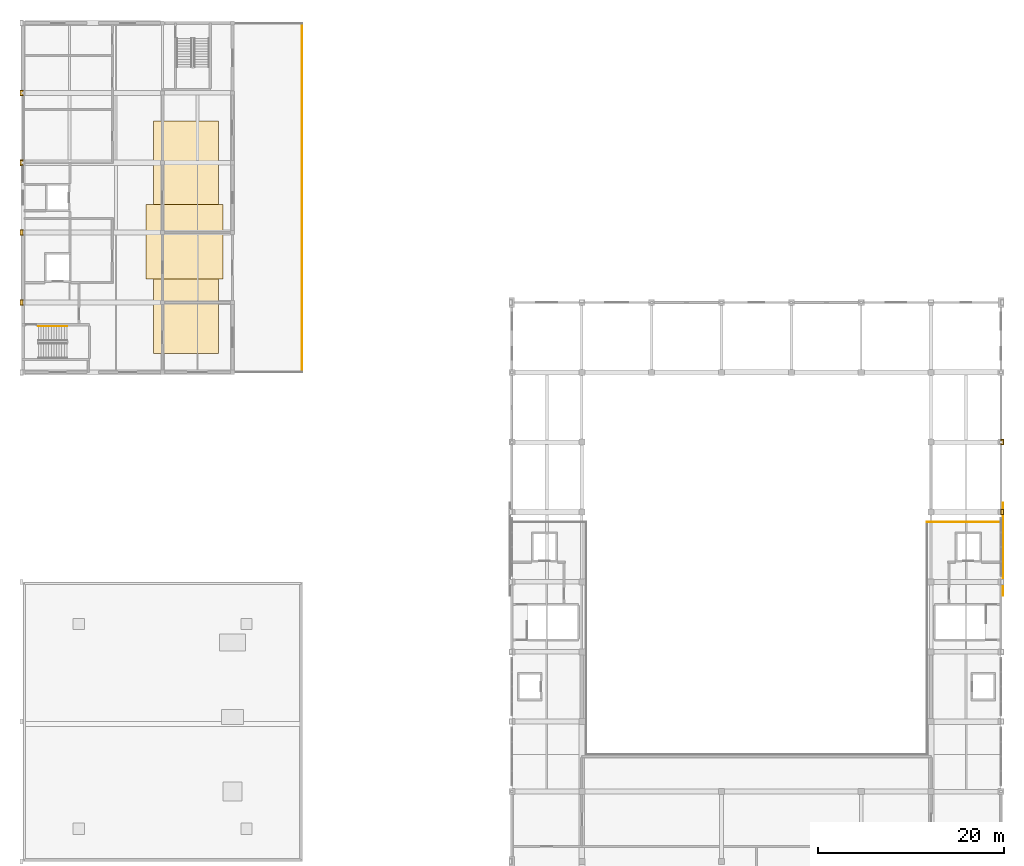
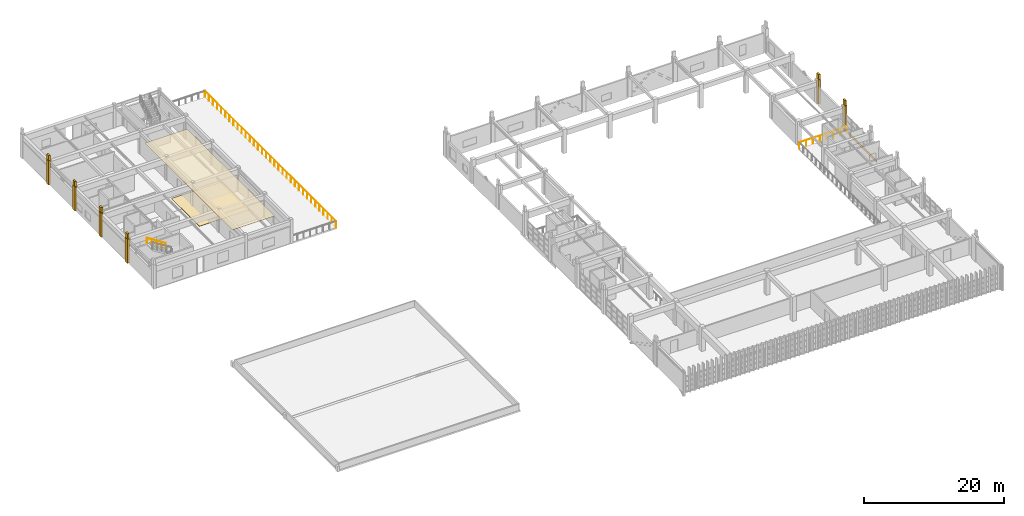
# One storey, part 47 of 51: 15 coverings, 3 railings.
"""IFC4 building model written with IfcOpenShell, lengths in metres."""

from ifc_helpers import new_model, si_unit, direction, frame, origin, origin_2d, place, context, subcontext, project, spatial, polyline, rectangle, circle, outline, extrude, material, layer, layer_set, type_object, element, save


model = new_model("IFC4")

# Units and contexts
model_context = context("Model", 3, precision=1e-05, world=origin(), true_north=direction((0.0, 1.0)))
body_context = subcontext(model_context, "Body", "Model", "MODEL_VIEW")
ifc_project = project(units=[si_unit("LENGTHUNIT", "METRE"), si_unit("AREAUNIT", "SQUARE_METRE"), si_unit("VOLUMEUNIT", "CUBIC_METRE"), si_unit("PLANEANGLEUNIT", "RADIAN"), si_unit("MASSUNIT", "GRAM", prefix="KILO")], contexts=[model_context])

# Site, building, storey
site_placement = place(None, origin())
site = spatial("IfcSite", under=ifc_project, at=site_placement, CompositionType="ELEMENT")
building_placement = place(site_placement, origin())
building = spatial("IfcBuilding", under=site, at=building_placement, Name="Qasida Concert Hall", CompositionType="ELEMENT")
storey_placement = place(building_placement, frame((0.0, 0.0, 21.0)))
storey = spatial("IfcBuildingStorey", under=building, at=storey_placement, Name="L05", CompositionType="ELEMENT", Elevation=21.0)

# Coverings
ifc_material_1 = material(Name="Sculpted fibrous plaster acoustic reflector ceiling", Category="gypsum")
ifc_layer_1 = layer(ifc_material_1, 0.0400390625, Name="Sculpted fibrous plaster acoustic reflector ceiling")
ifc_layer_set_1 = layer_set([ifc_layer_1], Name="Sculpted fibrous plaster acoustic reflector ceiling")
covering_type_1 = type_object("IfcCoveringType", Name="CV-CE-1", PredefinedType="CEILING", material=ifc_layer_set_1)
covering_1_placement = place(storey_placement, frame((0.0, 0.0, 3.919921875)))
element("IfcCovering", 1, at=covering_1_placement, inside=storey, type_object=covering_type_1, Name="L05 acoustic reflector ceiling 08", PredefinedType="CEILING", context=body_context, shape_type="SweptSolid", body=[
    extrude(outline(polyline([(14.0, 77.0), (21.0, 77.0), (21.0, 102.0), (14.0, 102.0), (14.0, 77.0)])), origin(), (0.0, 0.0, 1.0), 0.0400390625),
])
ifc_material_2 = material(Name="Glazed Levantine geometric terracotta spandrel relief", Category="masonry")
ifc_layer_2 = layer(ifc_material_2, 0.050048828125, Name="Glazed Levantine geometric terracotta spandrel relief")
ifc_layer_set_2 = layer_set([ifc_layer_2], Name="Glazed Levantine geometric terracotta spandrel relief")
covering_type_2 = type_object("IfcCoveringType", Name="CV-CL-1", PredefinedType="CLADDING", material=ifc_layer_set_2)
covering_2_placement = place(storey_placement, frame((105.199951171875, 56.0, -0.47509765625), z_axis=(0.0, 0.0, 1.0), x_axis=(1.0, 0.0, 0.0)))
element("IfcCovering", 2, at=covering_2_placement, inside=storey, type_object=covering_type_2, Name="L05 terracotta spandrel frieze E05", PredefinedType="CLADDING", context=body_context, shape_type="SweptSolid", body=[
    extrude(rectangle(XDim=0.050048828125, YDim=10.0, at=origin_2d()), origin(), (0.0, 0.0, 1.0), 0.449951171875),
])
ifc_material_3 = material(Name="Quarter-sawn European oak stage and parterre flooring", Category="wood")
ifc_layer_3 = layer(ifc_material_3, 0.030029296875, Name="Quarter-sawn European oak stage and parterre flooring")
ifc_layer_set_3 = layer_set([ifc_layer_3], Name="Quarter-sawn European oak stage and parterre flooring")
covering_type_3 = type_object("IfcCoveringType", Name="CV-FL-1", PredefinedType="FLOORING", material=ifc_layer_set_3)
covering_3_placement = place(storey_placement, origin())
element("IfcCovering", 3, at=covering_3_placement, inside=storey, type_object=covering_type_3, Name="L05 acoustic timber flooring 08", PredefinedType="FLOORING", context=body_context, shape_type="SweptSolid", body=[
    extrude(outline(polyline([(13.199951171875, 85.0), (21.5, 85.0), (21.5, 93.0), (13.199951171875, 93.0), (13.199951171875, 85.0)])), origin(), (0.0, 0.0, 1.0), 0.030029296875),
])
ifc_material_4 = material(Name="Projecting fluted Lebanese limestone Art Deco pilaster", Category="masonry")
ifc_layer_4 = layer(ifc_material_4, 0.35009765625, Name="Projecting fluted Lebanese limestone Art Deco pilaster")
ifc_layer_set_4 = layer_set([ifc_layer_4], Name="Projecting fluted Lebanese limestone Art Deco pilaster")
covering_type_4 = type_object("IfcCoveringType", Name="CV-PIL-650", PredefinedType="CLADDING", material=ifc_layer_set_4)
covering_4_placement = place(storey_placement, frame((105.135009765625, 60.0, 0.0), z_axis=(0.0, 0.0, 1.0), x_axis=(1.0, 0.0, 0.0)))
element("IfcCovering", 4, at=covering_4_placement, inside=storey, type_object=covering_type_4, Name="L05 fluted limestone pilaster 0069", PredefinedType="CLADDING", context=body_context, shape_type="SweptSolid", body=[
    extrude(rectangle(XDim=0.35009765625, YDim=0.64990234375, at=origin_2d()), origin(), (0.0, 0.0, 1.0), 4.199951171875),
])
covering_5_placement = place(storey_placement, frame((105.135009765625, 60.0, 4.199951171875), z_axis=(0.0, 0.0, 1.0), x_axis=(1.0, 0.0, 0.0)))
element("IfcCovering", 5, at=covering_5_placement, inside=storey, type_object=covering_type_4, Name="Stepped Art Deco pier finial 0070", PredefinedType="CLADDING", context=body_context, shape_type="SweptSolid", body=[
    extrude(rectangle(XDim=0.300048828125, YDim=0.52001953125, at=origin_2d()), origin(), (0.0, 0.0, 1.0), 0.89990234375),
])
covering_6_placement = place(storey_placement, frame((105.135009765625, 67.5, 0.0), z_axis=(0.0, 0.0, 1.0), x_axis=(1.0, 0.0, 0.0)))
element("IfcCovering", 6, at=covering_6_placement, inside=storey, type_object=covering_type_4, Name="L05 fluted limestone pilaster 0083", PredefinedType="CLADDING", context=body_context, shape_type="SweptSolid", body=[
    extrude(rectangle(XDim=0.35009765625, YDim=0.64990234375, at=origin_2d()), origin(), (0.0, 0.0, 1.0), 4.199951171875),
])
covering_7_placement = place(storey_placement, frame((105.135009765625, 67.5, 4.199951171875), z_axis=(0.0, 0.0, 1.0), x_axis=(1.0, 0.0, 0.0)))
element("IfcCovering", 7, at=covering_7_placement, inside=storey, type_object=covering_type_4, Name="Stepped Art Deco pier finial 0084", PredefinedType="CLADDING", context=body_context, shape_type="SweptSolid", body=[
    extrude(rectangle(XDim=0.300048828125, YDim=0.52001953125, at=origin_2d()), origin(), (0.0, 0.0, 1.0), 0.89990234375),
])
covering_8_placement = place(storey_placement, frame((-0.135009765625, 82.5, 0.0), z_axis=(0.0, 0.0, 1.0), x_axis=(1.0, 0.0, 0.0)))
element("IfcCovering", 8, at=covering_8_placement, inside=storey, type_object=covering_type_4, Name="L05 fluted limestone pilaster 0277", PredefinedType="CLADDING", context=body_context, shape_type="SweptSolid", body=[
    extrude(rectangle(XDim=0.35009765625, YDim=0.64990234375, at=origin_2d()), origin(), (0.0, 0.0, 1.0), 4.199951171875),
])
covering_9_placement = place(storey_placement, frame((-0.135009765625, 82.5, 4.199951171875), z_axis=(0.0, 0.0, 1.0), x_axis=(1.0, 0.0, 0.0)))
element("IfcCovering", 9, at=covering_9_placement, inside=storey, type_object=covering_type_4, Name="Stepped Art Deco pier finial 0278", PredefinedType="CLADDING", context=body_context, shape_type="SweptSolid", body=[
    extrude(rectangle(XDim=0.300048828125, YDim=0.52001953125, at=origin_2d()), origin(), (0.0, 0.0, 1.0), 0.89990234375),
])
covering_10_placement = place(storey_placement, frame((-0.135009765625, 90.0, 0.0), z_axis=(0.0, 0.0, 1.0), x_axis=(1.0, 0.0, 0.0)))
element("IfcCovering", 10, at=covering_10_placement, inside=storey, type_object=covering_type_4, Name="L05 fluted limestone pilaster 0284", PredefinedType="CLADDING", context=body_context, shape_type="SweptSolid", body=[
    extrude(rectangle(XDim=0.35009765625, YDim=0.64990234375, at=origin_2d()), origin(), (0.0, 0.0, 1.0), 4.199951171875),
])
covering_11_placement = place(storey_placement, frame((-0.135009765625, 90.0, 4.199951171875), z_axis=(0.0, 0.0, 1.0), x_axis=(1.0, 0.0, 0.0)))
element("IfcCovering", 11, at=covering_11_placement, inside=storey, type_object=covering_type_4, Name="Stepped Art Deco pier finial 0285", PredefinedType="CLADDING", context=body_context, shape_type="SweptSolid", body=[
    extrude(rectangle(XDim=0.300048828125, YDim=0.52001953125, at=origin_2d()), origin(), (0.0, 0.0, 1.0), 0.89990234375),
])
covering_12_placement = place(storey_placement, frame((-0.135009765625, 97.5, 0.0), z_axis=(0.0, 0.0, 1.0), x_axis=(1.0, 0.0, 0.0)))
element("IfcCovering", 12, at=covering_12_placement, inside=storey, type_object=covering_type_4, Name="L05 fluted limestone pilaster 0291", PredefinedType="CLADDING", context=body_context, shape_type="SweptSolid", body=[
    extrude(rectangle(XDim=0.35009765625, YDim=0.64990234375, at=origin_2d()), origin(), (0.0, 0.0, 1.0), 4.199951171875),
])
covering_13_placement = place(storey_placement, frame((-0.135009765625, 97.5, 4.199951171875), z_axis=(0.0, 0.0, 1.0), x_axis=(1.0, 0.0, 0.0)))
element("IfcCovering", 13, at=covering_13_placement, inside=storey, type_object=covering_type_4, Name="Stepped Art Deco pier finial 0292", PredefinedType="CLADDING", context=body_context, shape_type="SweptSolid", body=[
    extrude(rectangle(XDim=0.300048828125, YDim=0.52001953125, at=origin_2d()), origin(), (0.0, 0.0, 1.0), 0.89990234375),
])
covering_14_placement = place(storey_placement, frame((-0.135009765625, 105.0, 0.0), z_axis=(0.0, 0.0, 1.0), x_axis=(1.0, 0.0, 0.0)))
element("IfcCovering", 14, at=covering_14_placement, inside=storey, type_object=covering_type_4, Name="L05 fluted limestone pilaster 0298", PredefinedType="CLADDING", context=body_context, shape_type="SweptSolid", body=[
    extrude(rectangle(XDim=0.35009765625, YDim=0.64990234375, at=origin_2d()), origin(), (0.0, 0.0, 1.0), 4.199951171875),
])
covering_15_placement = place(storey_placement, frame((-0.135009765625, 105.0, 4.199951171875), z_axis=(0.0, 0.0, 1.0), x_axis=(1.0, 0.0, 0.0)))
element("IfcCovering", 15, at=covering_15_placement, inside=storey, type_object=covering_type_4, Name="Stepped Art Deco pier finial 0299", PredefinedType="CLADDING", context=body_context, shape_type="SweptSolid", body=[
    extrude(rectangle(XDim=0.300048828125, YDim=0.52001953125, at=origin_2d()), origin(), (0.0, 0.0, 1.0), 0.89990234375),
])

# Railings
ifc_material_5 = material(Name="Patinated architectural bronze and laminated glass infill", Category="glass")
ifc_layer_5 = layer(ifc_material_5, 0.080078125, Name="Patinated architectural bronze and laminated glass infill")
ifc_layer_set_5 = layer_set([ifc_layer_5], Name="Patinated architectural bronze and laminated glass infill")
railing_type_1 = type_object("IfcRailingType", Name="RL-GRD-1100", PredefinedType="GUARDRAIL", material=ifc_layer_set_5)
railing_1_placement = place(storey_placement, frame((29.949951171875, 75.050048828125, 0.0)))
element("IfcRailing", 16, at=railing_1_placement, inside=storey, type_object=railing_type_1, Name="L05 Ziggurat L05 terrace guardrail 0012", PredefinedType="GUARDRAIL", context=body_context, shape_type="SweptSolid", body=[
    extrude(circle(Radius=0.02392578125, at=origin_2d()), frame((0.0, 0.0, 1.09619140625), z_axis=(0.0, 1.0, 0.0), x_axis=(-1.0, 0.0, 0.0)), (0.0, 0.0, 1.0), 37.39990234375),
    extrude(circle(Radius=0.02099609375, at=origin_2d()), origin(), (0.0, 0.0, 1.0), 1.072021484375),
    extrude(circle(Radius=0.02099609375, at=origin_2d()), frame((0.0, 1.168701171875, 0.0)), (0.0, 0.0, 1.0), 1.072021484375),
    extrude(circle(Radius=0.02099609375, at=origin_2d()), frame((0.0, 2.33740234375, 0.0)), (0.0, 0.0, 1.0), 1.072021484375),
    extrude(circle(Radius=0.02099609375, at=origin_2d()), frame((0.0, 3.50634765625, 0.0)), (0.0, 0.0, 1.0), 1.072021484375),
    extrude(circle(Radius=0.02099609375, at=origin_2d()), frame((0.0, 4.675048828125, 0.0)), (0.0, 0.0, 1.0), 1.072021484375),
    extrude(circle(Radius=0.02099609375, at=origin_2d()), frame((0.0, 5.84375, 0.0)), (0.0, 0.0, 1.0), 1.072021484375),
    extrude(circle(Radius=0.02099609375, at=origin_2d()), frame((0.0, 7.012451171875, 0.0)), (0.0, 0.0, 1.0), 1.072021484375),
    extrude(circle(Radius=0.02099609375, at=origin_2d()), frame((0.0, 8.18115234375, 0.0)), (0.0, 0.0, 1.0), 1.072021484375),
    extrude(circle(Radius=0.02099609375, at=origin_2d()), frame((0.0, 9.35009765625, 0.0)), (0.0, 0.0, 1.0), 1.072021484375),
    extrude(circle(Radius=0.02099609375, at=origin_2d()), frame((0.0, 10.518798828125, 0.0)), (0.0, 0.0, 1.0), 1.072021484375),
    extrude(circle(Radius=0.02099609375, at=origin_2d()), frame((0.0, 11.6875, 0.0)), (0.0, 0.0, 1.0), 1.072021484375),
    extrude(circle(Radius=0.02099609375, at=origin_2d()), frame((0.0, 12.856201171875, 0.0)), (0.0, 0.0, 1.0), 1.072021484375),
    extrude(circle(Radius=0.02099609375, at=origin_2d()), frame((0.0, 14.02490234375, 0.0)), (0.0, 0.0, 1.0), 1.072021484375),
    extrude(circle(Radius=0.02099609375, at=origin_2d()), frame((0.0, 15.193603515625, 0.0)), (0.0, 0.0, 1.0), 1.072021484375),
    extrude(circle(Radius=0.02099609375, at=origin_2d()), frame((0.0, 16.362548828125, 0.0)), (0.0, 0.0, 1.0), 1.072021484375),
    extrude(circle(Radius=0.02099609375, at=origin_2d()), frame((0.0, 17.53125, 0.0)), (0.0, 0.0, 1.0), 1.072021484375),
    extrude(circle(Radius=0.02099609375, at=origin_2d()), frame((0.0, 18.699951171875, 0.0)), (0.0, 0.0, 1.0), 1.072021484375),
    extrude(circle(Radius=0.02099609375, at=origin_2d()), frame((0.0, 19.86865234375, 0.0)), (0.0, 0.0, 1.0), 1.072021484375),
    extrude(circle(Radius=0.02099609375, at=origin_2d()), frame((0.0, 21.037353515625, 0.0)), (0.0, 0.0, 1.0), 1.072021484375),
    extrude(circle(Radius=0.02099609375, at=origin_2d()), frame((0.0, 22.206298828125, 0.0)), (0.0, 0.0, 1.0), 1.072021484375),
    extrude(circle(Radius=0.02099609375, at=origin_2d()), frame((0.0, 23.375, 0.0)), (0.0, 0.0, 1.0), 1.072021484375),
    extrude(circle(Radius=0.02099609375, at=origin_2d()), frame((0.0, 24.543701171875, 0.0)), (0.0, 0.0, 1.0), 1.072021484375),
    extrude(circle(Radius=0.02099609375, at=origin_2d()), frame((0.0, 25.71240234375, 0.0)), (0.0, 0.0, 1.0), 1.072021484375),
    extrude(circle(Radius=0.02099609375, at=origin_2d()), frame((0.0, 26.881103515625, 0.0)), (0.0, 0.0, 1.0), 1.072021484375),
    extrude(circle(Radius=0.02099609375, at=origin_2d()), frame((0.0, 28.0498046875, 0.0)), (0.0, 0.0, 1.0), 1.072021484375),
    extrude(circle(Radius=0.02099609375, at=origin_2d()), frame((0.0, 29.21875, 0.0)), (0.0, 0.0, 1.0), 1.072021484375),
    extrude(circle(Radius=0.02099609375, at=origin_2d()), frame((0.0, 30.387451171875, 0.0)), (0.0, 0.0, 1.0), 1.072021484375),
    extrude(circle(Radius=0.02099609375, at=origin_2d()), frame((0.0, 31.55615234375, 0.0)), (0.0, 0.0, 1.0), 1.072021484375),
    extrude(circle(Radius=0.02099609375, at=origin_2d()), frame((0.0, 32.724853515625, 0.0)), (0.0, 0.0, 1.0), 1.072021484375),
    extrude(circle(Radius=0.02099609375, at=origin_2d()), frame((0.0, 33.8935546875, 0.0)), (0.0, 0.0, 1.0), 1.072021484375),
    extrude(circle(Radius=0.02099609375, at=origin_2d()), frame((0.0, 35.0625, 0.0)), (0.0, 0.0, 1.0), 1.072021484375),
    extrude(circle(Radius=0.02099609375, at=origin_2d()), frame((0.0, 36.231201171875, 0.0)), (0.0, 0.0, 1.0), 1.072021484375),
    extrude(circle(Radius=0.02099609375, at=origin_2d()), frame((0.0, 37.39990234375, 0.0)), (0.0, 0.0, 1.0), 1.072021484375),
])
railing_2_placement = place(storey_placement, frame((97.0400390625, 58.949951171875, 0.0)))
element("IfcRailing", 17, at=railing_2_placement, inside=storey, type_object=railing_type_1, Name="L05 Symphony upper gallery guardrail 0122", PredefinedType="GUARDRAIL", context=body_context, shape_type="SweptSolid", body=[
    extrude(circle(Radius=0.02392578125, at=origin_2d()), frame((0.0, 0.0, 1.09619140625), z_axis=(1.0, 0.0, 0.0), x_axis=(0.0, 1.0, 0.0)), (0.0, 0.0, 1.0), 7.909912109375),
    extrude(circle(Radius=0.02099609375, at=origin_2d()), origin(), (0.0, 0.0, 1.0), 1.072021484375),
    extrude(circle(Radius=0.02099609375, at=origin_2d()), frame((1.1298828125, 0.0, 0.0)), (0.0, 0.0, 1.0), 1.072021484375),
    extrude(circle(Radius=0.02099609375, at=origin_2d()), frame((2.260009765625, 0.0, 0.0)), (0.0, 0.0, 1.0), 1.072021484375),
    extrude(circle(Radius=0.02099609375, at=origin_2d()), frame((3.389892578125, 0.0, 0.0)), (0.0, 0.0, 1.0), 1.072021484375),
    extrude(circle(Radius=0.02099609375, at=origin_2d()), frame((4.52001953125, 0.0, 0.0)), (0.0, 0.0, 1.0), 1.072021484375),
    extrude(circle(Radius=0.02099609375, at=origin_2d()), frame((5.64990234375, 0.0, 0.0)), (0.0, 0.0, 1.0), 1.072021484375),
    extrude(circle(Radius=0.02099609375, at=origin_2d()), frame((6.780029296875, 0.0, 0.0)), (0.0, 0.0, 1.0), 1.072021484375),
    extrude(circle(Radius=0.02099609375, at=origin_2d()), frame((7.909912109375, 0.0, 0.0)), (0.0, 0.0, 1.0), 1.072021484375),
])
ifc_material_6 = material(Name="Patinated tubular architectural bronze", Category="steel")
ifc_layer_6 = layer(ifc_material_6, 0.050048828125, Name="Patinated tubular architectural bronze")
ifc_layer_set_6 = layer_set([ifc_layer_6], Name="Patinated tubular architectural bronze")
railing_type_2 = type_object("IfcRailingType", Name="RL-HND-900", PredefinedType="HANDRAIL", material=ifc_layer_set_6)
railing_3_placement = place(storey_placement, frame((4.72998046875, 79.949951171875, 2.27490234375)))
element("IfcRailing", 18, at=railing_3_placement, inside=storey, type_object=railing_type_2, Name="L05 ST-05 stair handrail 2", PredefinedType="HANDRAIL", context=body_context, shape_type="SweptSolid", body=[
    extrude(circle(Radius=0.02392578125, at=origin_2d()), frame((0.0, 0.0, 0.8759765625), z_axis=(-0.847998304005, 0.0, 0.529998940003), x_axis=(0.0, -1.0, 0.0)), (0.0, 0.0, 1.0), 3.632080078125),
    extrude(circle(Radius=0.02099609375, at=origin_2d()), origin(), (0.0, 0.0, 1.0), 0.851806640625),
    extrude(circle(Radius=0.02099609375, at=origin_2d()), frame((-0.77001953125, 0.0, 0.481201171875)), (0.0, 0.0, 1.0), 0.851806640625),
    extrude(circle(Radius=0.02099609375, at=origin_2d()), frame((-1.5400390625, 0.0, 0.96240234375)), (0.0, 0.0, 1.0), 0.851806640625),
    extrude(circle(Radius=0.02099609375, at=origin_2d()), frame((-2.31005859375, 0.0, 1.44384765625)), (0.0, 0.0, 1.0), 0.851806640625),
    extrude(circle(Radius=0.02099609375, at=origin_2d()), frame((-3.080078125, 0.0, 1.925048828125)), (0.0, 0.0, 1.0), 0.851806640625),
])

save(model, "model.ifc")
